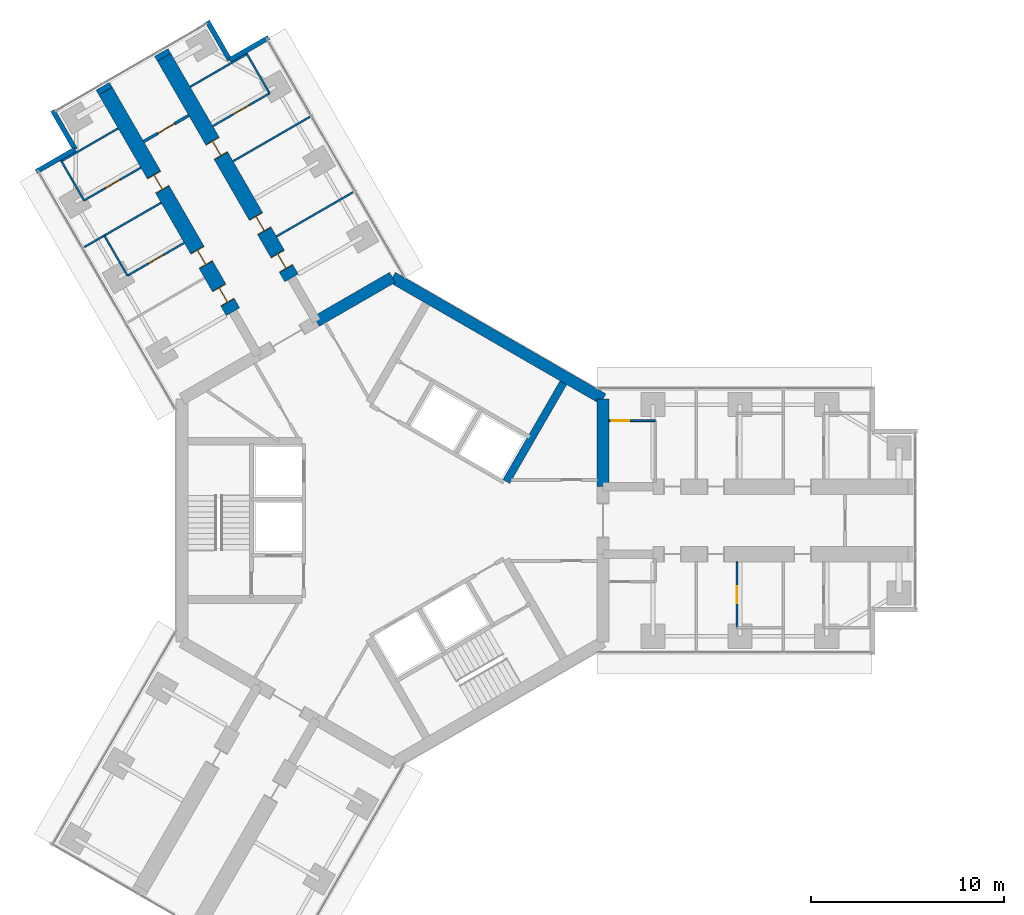
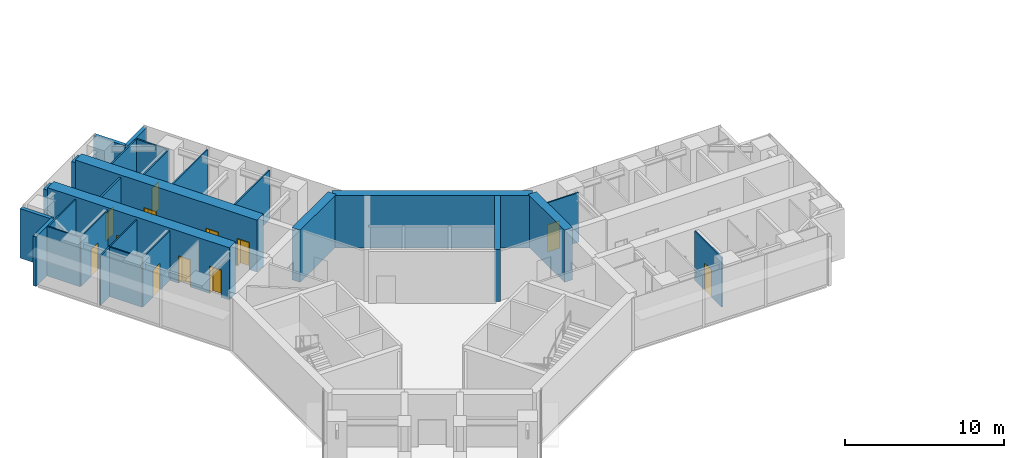
# One storey, part 17 of 23: 26 walls, 12 doors, 12 openings.
"""IFC4 building model written with IfcOpenShell, lengths in metres."""

from ifc_helpers import new_model, si_unit, direction, frame, frame_2d, origin, place, context, subcontext, project, spatial, rectangle, extrude, material, layer, layer_set, type_object, element, fill, save


model = new_model("IFC4")

# Units and contexts
model_context = context("Model", 3, precision=1e-05, world=origin(), true_north=direction((0.0, 1.0)))
body_context = subcontext(model_context, "Body", "Model", "MODEL_VIEW")
ifc_project = project(units=[si_unit("LENGTHUNIT", "METRE"), si_unit("AREAUNIT", "SQUARE_METRE"), si_unit("VOLUMEUNIT", "CUBIC_METRE"), si_unit("PLANEANGLEUNIT", "RADIAN"), si_unit("MASSUNIT", "GRAM", prefix="KILO")], contexts=[model_context])

# Site, building, storey
site_placement = place(None, origin())
site = spatial("IfcSite", under=ifc_project, at=site_placement, CompositionType="ELEMENT")
building_placement = place(site_placement, origin())
building = spatial("IfcBuilding", under=site, at=building_placement, Name="Upepo Twin Towers", CompositionType="ELEMENT")
storey_placement = place(building_placement, frame((0.0, 0.0, 157.5)))
storey = spatial("IfcBuildingStorey", under=building, at=storey_placement, Name="L38", CompositionType="ELEMENT", Elevation=157.5)

# Walls
ifc_material_1 = material(Name="Dense concrete blockwork", Category="masonry")
ifc_layer_1 = layer(ifc_material_1, 0.800048828125)
ifc_layer_set_1 = layer_set([ifc_layer_1], Name="Buttress closer 800, blockwork with fire-stopping to the curtain wall")
wall_type_1 = type_object("IfcWallType", Name="Buttress closer 800, blockwork with fire-stopping to the curtain wall", PredefinedType="PARTITIONING", material=ifc_layer_set_1)
wall_1_placement = place(storey_placement, frame((-14.865478515625, 22.247802734375, 0.0), z_axis=(0.0, 0.0, 1.0), x_axis=(-0.500426713919, 0.865778900179, 0.0)))
element("IfcWall", 1, at=wall_1_placement, inside=storey, type_object=wall_type_1, Name="T1 L38 wing B buttress closer L", PredefinedType="PARTITIONING", context=body_context, shape_type="SweptSolid", body=[
    extrude(rectangle(XDim=0.300048828125, YDim=0.800048828125, at=frame_2d((0.14990234375, 0.0))), origin(), (0.0, 0.0, 1.0), 3.800048828125),
])
wall_2_placement = place(storey_placement, frame((-11.83447265625, 23.997802734375, 0.0), z_axis=(0.0, 0.0, 1.0), x_axis=(-0.499816412211, 0.866131372301, 0.0)))
element("IfcWall", 2, at=wall_2_placement, inside=storey, type_object=wall_type_1, Name="T1 L38 wing B buttress closer R", PredefinedType="PARTITIONING", context=body_context, shape_type="SweptSolid", body=[
    extrude(rectangle(XDim=0.2998046875, YDim=0.800048828125, at=frame_2d((0.14990234375, 0.0))), origin(), (0.0, 0.0, 1.0), 3.800048828125),
])

# Wall, openings, doors
ifc_material_2 = material(Name="Concrete C60/75", Category="concrete")
ifc_layer_2 = layer(ifc_material_2, 0.800048828125)
ifc_layer_set_2 = layer_set([ifc_layer_2], Name="Concrete C60/75")
wall_type_2 = type_object("IfcWallType", Name="Buttress wall 800 RC", PredefinedType="SHEAR", material=ifc_layer_set_2)
wall_3_placement = place(storey_placement, frame((-8.265625, 10.81640625, 0.0), z_axis=(0.0, 0.0, 1.0), x_axis=(-0.499996231654, 0.866027579429, 0.0)))
wall_3 = element("IfcWall", 3, at=wall_3_placement, inside=storey, type_object=wall_type_2, Name="T1 wing B buttress wall L part 2", PredefinedType="SHEAR", context=body_context, shape_type="SweptSolid", body=[
    extrude(rectangle(XDim=13.19970703125, YDim=0.800048828125, at=frame_2d((6.599853515625, 0.0))), origin(), (0.0, 0.0, 1.0), 4.0),
])
opening_1_placement = place(wall_3_placement, frame((0.550048828125, 0.0, 0.0)))
opening_1 = element("IfcOpeningElement", 4, at=opening_1_placement, cuts=wall_3, Name="Opening D14", PredefinedType="OPENING", context=body_context, shape_type="SweptSolid", body=[
    extrude(rectangle(XDim=0.89990234375, YDim=2.10009765625, at=frame_2d((0.449951171875, 1.050048828125))), frame((0.0, 0.409912109375, 0.0), z_axis=(0.0, -1.0, 0.0), x_axis=(1.0, 0.0, 0.0)), (0.0, 0.0, 1.0), 0.820068359375),
])
opening_2_placement = place(wall_3_placement, frame((2.800048828125, 0.0, 0.0)))
opening_2 = element("IfcOpeningElement", 5, at=opening_2_placement, cuts=wall_3, Name="Opening D14", PredefinedType="OPENING", context=body_context, shape_type="SweptSolid", body=[
    extrude(rectangle(XDim=0.89990234375, YDim=2.10009765625, at=frame_2d((0.449951171875, 1.050048828125))), frame((0.0, 0.409912109375, 0.0), z_axis=(0.0, -1.0, 0.0), x_axis=(1.0, 0.0, 0.0)), (0.0, 0.0, 1.0), 0.820068359375),
])
opening_3_placement = place(wall_3_placement, frame((7.300048828125, 0.0, 0.0)))
opening_3 = element("IfcOpeningElement", 6, at=opening_3_placement, cuts=wall_3, Name="Opening D14", PredefinedType="OPENING", context=body_context, shape_type="SweptSolid", body=[
    extrude(rectangle(XDim=0.89990234375, YDim=2.10009765625, at=frame_2d((0.449951171875, 1.050048828125))), frame((0.0, 0.409912109375, 0.0), z_axis=(0.0, -1.0, 0.0), x_axis=(1.0, 0.0, 0.0)), (0.0, 0.0, 1.0), 0.820068359375),
])
ifc_material_3 = material(Name="Timber doorset", Category="wood")
door_type_1 = type_object("IfcDoorType", Name="Office door 900 FD30", OperationType="SINGLE_SWING_LEFT", PredefinedType="DOOR", material=ifc_material_3)
door_1_placement = place(opening_1_placement, origin())
door_1 = element("IfcDoor", 7, at=door_1_placement, inside=storey, type_object=door_type_1, Name="T1 L38 staff office door", OperationType="SINGLE_SWING_LEFT", OverallHeight=2.10009765625, OverallWidth=0.89990234375, PredefinedType="DOOR", context=body_context, shape_type="SweptSolid", body=[
    extrude(rectangle(XDim=0.81990234375, YDim=2.06009765625, at=frame_2d((0.449951171875, 1.030029296875))), frame((0.0, 0.02490234375, 0.0), z_axis=(0.0, -1.0, 0.0), x_axis=(1.0, 0.0, 0.0)), (0.0, 0.0, 1.0), 0.050048828125),
    extrude(rectangle(XDim=0.04, YDim=2.10009765625, at=frame_2d((0.02001953125, 1.050048828125))), frame((0.0, 0.39990234375, 0.0), z_axis=(0.0, -1.0, 0.0), x_axis=(1.0, 0.0, 0.0)), (0.0, 0.0, 1.0), 0.799560546875),
    extrude(rectangle(XDim=0.04, YDim=2.10009765625, at=frame_2d((0.8798828125, 1.050048828125))), frame((0.0, 0.39990234375, 0.0), z_axis=(0.0, -1.0, 0.0), x_axis=(1.0, 0.0, 0.0)), (0.0, 0.0, 1.0), 0.799560546875),
    extrude(rectangle(XDim=0.81990234375, YDim=0.04, at=frame_2d((0.449951171875, 2.080078125))), frame((0.0, 0.39990234375, 0.0), z_axis=(0.0, -1.0, 0.0), x_axis=(1.0, 0.0, 0.0)), (0.0, 0.0, 1.0), 0.799560546875),
])
fill(opening_1, door_1)
door_2_placement = place(opening_2_placement, origin())
door_2 = element("IfcDoor", 8, at=door_2_placement, inside=storey, type_object=door_type_1, Name="T1 L38 postgraduate office door", OperationType="SINGLE_SWING_LEFT", OverallHeight=2.10009765625, OverallWidth=0.89990234375, PredefinedType="DOOR", context=body_context, shape_type="SweptSolid", body=[
    extrude(rectangle(XDim=0.81990234375, YDim=2.06009765625, at=frame_2d((0.449951171875, 1.030029296875))), frame((0.0, 0.02490234375, 0.0), z_axis=(0.0, -1.0, 0.0), x_axis=(1.0, 0.0, 0.0)), (0.0, 0.0, 1.0), 0.050048828125),
    extrude(rectangle(XDim=0.04, YDim=2.10009765625, at=frame_2d((0.02001953125, 1.050048828125))), frame((0.0, 0.39990234375, 0.0), z_axis=(0.0, -1.0, 0.0), x_axis=(1.0, 0.0, 0.0)), (0.0, 0.0, 1.0), 0.799560546875),
    extrude(rectangle(XDim=0.04, YDim=2.10009765625, at=frame_2d((0.8798828125, 1.050048828125))), frame((0.0, 0.39990234375, 0.0), z_axis=(0.0, -1.0, 0.0), x_axis=(1.0, 0.0, 0.0)), (0.0, 0.0, 1.0), 0.799560546875),
    extrude(rectangle(XDim=0.81990234375, YDim=0.04, at=frame_2d((0.449951171875, 2.080078125))), frame((0.0, 0.39990234375, 0.0), z_axis=(0.0, -1.0, 0.0), x_axis=(1.0, 0.0, 0.0)), (0.0, 0.0, 1.0), 0.799560546875),
])
fill(opening_2, door_2)
door_3_placement = place(opening_3_placement, origin())
door_3 = element("IfcDoor", 9, at=door_3_placement, inside=storey, type_object=door_type_1, Name="T1 L38 meeting room door", OperationType="SINGLE_SWING_RIGHT", OverallHeight=2.10009765625, OverallWidth=0.89990234375, PredefinedType="DOOR", context=body_context, shape_type="SweptSolid", body=[
    extrude(rectangle(XDim=0.81990234375, YDim=2.06009765625, at=frame_2d((0.449951171875, 1.030029296875))), frame((0.0, 0.02490234375, 0.0), z_axis=(0.0, -1.0, 0.0), x_axis=(1.0, 0.0, 0.0)), (0.0, 0.0, 1.0), 0.050048828125),
    extrude(rectangle(XDim=0.04, YDim=2.10009765625, at=frame_2d((0.02001953125, 1.050048828125))), frame((0.0, 0.39990234375, 0.0), z_axis=(0.0, -1.0, 0.0), x_axis=(1.0, 0.0, 0.0)), (0.0, 0.0, 1.0), 0.799560546875),
    extrude(rectangle(XDim=0.04, YDim=2.10009765625, at=frame_2d((0.8798828125, 1.050048828125))), frame((0.0, 0.39990234375, 0.0), z_axis=(0.0, -1.0, 0.0), x_axis=(1.0, 0.0, 0.0)), (0.0, 0.0, 1.0), 0.799560546875),
    extrude(rectangle(XDim=0.81990234375, YDim=0.04, at=frame_2d((0.449951171875, 2.080078125))), frame((0.0, 0.39990234375, 0.0), z_axis=(0.0, -1.0, 0.0), x_axis=(1.0, 0.0, 0.0)), (0.0, 0.0, 1.0), 0.799560546875),
])
fill(opening_3, door_3)

wall_4_placement = place(storey_placement, frame((-5.234375, 12.56640625, 0.0), z_axis=(0.0, 0.0, 1.0), x_axis=(-0.500010103361, 0.866019570528, 0.0)))
wall_4 = element("IfcWall", 10, at=wall_4_placement, inside=storey, type_object=wall_type_2, Name="T1 wing B buttress wall R part 2", PredefinedType="SHEAR", context=body_context, shape_type="SweptSolid", body=[
    extrude(rectangle(XDim=13.199951171875, YDim=0.800048828125, at=frame_2d((6.60009765625, 0.0))), origin(), (0.0, 0.0, 1.0), 4.0),
])
opening_4_placement = place(wall_4_placement, frame((0.550048828125, 0.0, 0.0)))
opening_4 = element("IfcOpeningElement", 11, at=opening_4_placement, cuts=wall_4, Name="Opening D14", PredefinedType="OPENING", context=body_context, shape_type="SweptSolid", body=[
    extrude(rectangle(XDim=0.89990234375, YDim=2.10009765625, at=frame_2d((0.449951171875, 1.050048828125))), frame((0.0, 0.409912109375, 0.0), z_axis=(0.0, -1.0, 0.0), x_axis=(1.0, 0.0, 0.0)), (0.0, 0.0, 1.0), 0.820068359375),
])
opening_5_placement = place(wall_4_placement, frame((2.800048828125, 0.0, 0.0)))
opening_5 = element("IfcOpeningElement", 12, at=opening_5_placement, cuts=wall_4, Name="Opening D14", PredefinedType="OPENING", context=body_context, shape_type="SweptSolid", body=[
    extrude(rectangle(XDim=0.89990234375, YDim=2.10009765625, at=frame_2d((0.449951171875, 1.050048828125))), frame((0.0, 0.409912109375, 0.0), z_axis=(0.0, -1.0, 0.0), x_axis=(1.0, 0.0, 0.0)), (0.0, 0.0, 1.0), 0.820068359375),
])
opening_6_placement = place(wall_4_placement, frame((7.300048828125, 0.0, 0.0)))
opening_6 = element("IfcOpeningElement", 13, at=opening_6_placement, cuts=wall_4, Name="Opening D14", PredefinedType="OPENING", context=body_context, shape_type="SweptSolid", body=[
    extrude(rectangle(XDim=0.89990234375, YDim=2.10009765625, at=frame_2d((0.449951171875, 1.050048828125))), frame((0.0, 0.409912109375, 0.0), z_axis=(0.0, -1.0, 0.0), x_axis=(1.0, 0.0, 0.0)), (0.0, 0.0, 1.0), 0.820068359375),
])
door_4_placement = place(opening_4_placement, origin())
door_4 = element("IfcDoor", 14, at=door_4_placement, inside=storey, type_object=door_type_1, Name="T1 L38 staff office door", OperationType="SINGLE_SWING_LEFT", OverallHeight=2.10009765625, OverallWidth=0.89990234375, PredefinedType="DOOR", context=body_context, shape_type="SweptSolid", body=[
    extrude(rectangle(XDim=0.81990234375, YDim=2.06009765625, at=frame_2d((0.449951171875, 1.030029296875))), frame((0.0, 0.02490234375, 0.0), z_axis=(0.0, -1.0, 0.0), x_axis=(1.0, 0.0, 0.0)), (0.0, 0.0, 1.0), 0.050048828125),
    extrude(rectangle(XDim=0.04, YDim=2.10009765625, at=frame_2d((0.02001953125, 1.050048828125))), frame((0.0, 0.39990234375, 0.0), z_axis=(0.0, -1.0, 0.0), x_axis=(1.0, 0.0, 0.0)), (0.0, 0.0, 1.0), 0.799560546875),
    extrude(rectangle(XDim=0.04, YDim=2.10009765625, at=frame_2d((0.8798828125, 1.050048828125))), frame((0.0, 0.39990234375, 0.0), z_axis=(0.0, -1.0, 0.0), x_axis=(1.0, 0.0, 0.0)), (0.0, 0.0, 1.0), 0.799560546875),
    extrude(rectangle(XDim=0.81990234375, YDim=0.04, at=frame_2d((0.449951171875, 2.080078125))), frame((0.0, 0.39990234375, 0.0), z_axis=(0.0, -1.0, 0.0), x_axis=(1.0, 0.0, 0.0)), (0.0, 0.0, 1.0), 0.799560546875),
])
fill(opening_4, door_4)
door_5_placement = place(opening_5_placement, origin())
door_5 = element("IfcDoor", 15, at=door_5_placement, inside=storey, type_object=door_type_1, Name="T1 L38 staff office door", OperationType="SINGLE_SWING_LEFT", OverallHeight=2.10009765625, OverallWidth=0.89990234375, PredefinedType="DOOR", context=body_context, shape_type="SweptSolid", body=[
    extrude(rectangle(XDim=0.81990234375, YDim=2.06009765625, at=frame_2d((0.449951171875, 1.030029296875))), frame((0.0, 0.02490234375, 0.0), z_axis=(0.0, -1.0, 0.0), x_axis=(1.0, 0.0, 0.0)), (0.0, 0.0, 1.0), 0.050048828125),
    extrude(rectangle(XDim=0.04, YDim=2.10009765625, at=frame_2d((0.02001953125, 1.050048828125))), frame((0.0, 0.39990234375, 0.0), z_axis=(0.0, -1.0, 0.0), x_axis=(1.0, 0.0, 0.0)), (0.0, 0.0, 1.0), 0.799560546875),
    extrude(rectangle(XDim=0.04, YDim=2.10009765625, at=frame_2d((0.8798828125, 1.050048828125))), frame((0.0, 0.39990234375, 0.0), z_axis=(0.0, -1.0, 0.0), x_axis=(1.0, 0.0, 0.0)), (0.0, 0.0, 1.0), 0.799560546875),
    extrude(rectangle(XDim=0.81990234375, YDim=0.04, at=frame_2d((0.449951171875, 2.080078125))), frame((0.0, 0.39990234375, 0.0), z_axis=(0.0, -1.0, 0.0), x_axis=(1.0, 0.0, 0.0)), (0.0, 0.0, 1.0), 0.799560546875),
])
fill(opening_5, door_5)
door_6_placement = place(opening_6_placement, origin())
door_6 = element("IfcDoor", 16, at=door_6_placement, inside=storey, type_object=door_type_1, Name="T1 L38 postgraduate office door", OperationType="SINGLE_SWING_RIGHT", OverallHeight=2.10009765625, OverallWidth=0.89990234375, PredefinedType="DOOR", context=body_context, shape_type="SweptSolid", body=[
    extrude(rectangle(XDim=0.81990234375, YDim=2.06009765625, at=frame_2d((0.449951171875, 1.030029296875))), frame((0.0, 0.02490234375, 0.0), z_axis=(0.0, -1.0, 0.0), x_axis=(1.0, 0.0, 0.0)), (0.0, 0.0, 1.0), 0.050048828125),
    extrude(rectangle(XDim=0.04, YDim=2.10009765625, at=frame_2d((0.02001953125, 1.050048828125))), frame((0.0, 0.39990234375, 0.0), z_axis=(0.0, -1.0, 0.0), x_axis=(1.0, 0.0, 0.0)), (0.0, 0.0, 1.0), 0.799560546875),
    extrude(rectangle(XDim=0.04, YDim=2.10009765625, at=frame_2d((0.8798828125, 1.050048828125))), frame((0.0, 0.39990234375, 0.0), z_axis=(0.0, -1.0, 0.0), x_axis=(1.0, 0.0, 0.0)), (0.0, 0.0, 1.0), 0.799560546875),
    extrude(rectangle(XDim=0.81990234375, YDim=0.04, at=frame_2d((0.449951171875, 2.080078125))), frame((0.0, 0.39990234375, 0.0), z_axis=(0.0, -1.0, 0.0), x_axis=(1.0, 0.0, 0.0)), (0.0, 0.0, 1.0), 0.799560546875),
])
fill(opening_6, door_6)

# Walls
ifc_material_4 = material(Name="Concrete C60/75", Category="concrete")
ifc_layer_3 = layer(ifc_material_4, 0.60009765625)
ifc_layer_set_3 = layer_set([ifc_layer_3], Name="Concrete C60/75")
wall_type_3 = type_object("IfcWallType", Name="Core wall 600 RC", PredefinedType="SHEAR", material=ifc_layer_set_3)
wall_5_placement = place(storey_placement, frame((10.908447265625, 1.75, 0.0), z_axis=(0.0, 0.0, 1.0), x_axis=(0.0, 1.0, 0.0)))
element("IfcWall", 17, at=wall_5_placement, inside=storey, type_object=wall_type_3, Name="T1 core wall 000 L", PredefinedType="SHEAR", context=body_context, shape_type="SweptSolid", body=[
    extrude(rectangle(XDim=4.5478515625, YDim=0.60009765625, at=frame_2d((2.27392578125, 0.0))), origin(), (0.0, 0.0, 1.0), 4.0),
])
wall_6_placement = place(storey_placement, frame((10.908447265625, 6.2978515625, 0.0), z_axis=(0.0, 0.0, 1.0), x_axis=(-0.866021940709, 0.500005998175, 0.0)))
element("IfcWall", 18, at=wall_6_placement, inside=storey, type_object=wall_type_3, Name="T1 core wall 060", PredefinedType="SHEAR", context=body_context, shape_type="SweptSolid", body=[
    extrude(rectangle(XDim=12.595947265625, YDim=0.60009765625, at=frame_2d((6.2978515625, 0.0))), origin(), (0.0, 0.0, 1.0), 4.0),
])
wall_7_placement = place(storey_placement, frame((0.0, 12.595947265625, 0.0), z_axis=(0.0, 0.0, 1.0), x_axis=(-0.866011268655, -0.500024481964, 0.0)))
element("IfcWall", 19, at=wall_7_placement, inside=storey, type_object=wall_type_3, Name="T1 core wall 120 R", PredefinedType="SHEAR", context=body_context, shape_type="SweptSolid", body=[
    extrude(rectangle(XDim=4.548095703125, YDim=0.60009765625, at=frame_2d((2.27392578125, 0.0))), origin(), (0.0, 0.0, 1.0), 4.0),
])
ifc_material_5 = material(Name="Blockwork with anodised aluminium cladding", Category="masonry")
ifc_layer_4 = layer(ifc_material_5, 0.25)
ifc_layer_set_4 = layer_set([ifc_layer_4], Name="Notch cladding wall 250, pale metal")
wall_type_4 = type_object("IfcWallType", Name="Notch cladding wall 250, pale metal", PredefinedType="STANDARD", material=ifc_layer_set_4)
for number, where, z_axis, x_axis, name in (
    (20, (-18.456298828125, 18.0673828125, 0.0), (0.0, 0.0, 1.0), (0.865998469481, 0.500046648681, 0.0), "T1 L38 wing B notch wall L1"),
    (21, (-16.44287109375, 19.22998046875, 0.0), (0.0, 0.0, 1.0), (-0.500046648681, 0.865998469481, 0.0), "T1 L38 wing B notch wall L2"),
    (22, (-6.418701171875, 25.017333984375, 0.0), (0.0, 0.0, 1.0), (-0.866043940782, -0.499967891604, 0.0), "T1 L38 wing B notch wall R1"),
    (23, (-8.43212890625, 23.85498046875, 0.0), (0.0, 0.0, 1.0), (-0.500046648681, 0.865998469481, 0.0), "T1 L38 wing B notch wall R2"),
):
    element("IfcWall", number, at=place(storey_placement, frame(where, z_axis=z_axis, x_axis=x_axis)), inside=storey, type_object=wall_type_4, Name=name, PredefinedType="STANDARD", context=body_context, shape_type="SweptSolid", body=[
        extrude(rectangle(XDim=2.324951171875, YDim=0.25, at=frame_2d((1.16259765625, 0.0))), origin(), (0.0, 0.0, 1.0), 3.800048828125),
    ])

# Wall, opening, door
ifc_material_6 = material(Name="Gypsum board on steel studs", Category="steel")
ifc_layer_5 = layer(ifc_material_6, 0.10009765625)
ifc_layer_set_5 = layer_set([ifc_layer_5], Name="Office partition 100 stud")
wall_type_5 = type_object("IfcWallType", Name="Office partition 100 stud", PredefinedType="PARTITIONING", material=ifc_layer_set_5)
wall_8_placement = place(storey_placement, frame((11.2080078125, 5.175048828125, 0.0), z_axis=(0.0, 0.0, 1.0), x_axis=(1.0, 0.0, 0.0)))
wall_8 = element("IfcWall", 24, at=wall_8_placement, inside=storey, type_object=wall_type_5, Name="T1 WC bay partition AL at 11.21", PredefinedType="PARTITIONING", context=body_context, shape_type="SweptSolid", body=[
    extrude(rectangle(XDim=2.39990234375, YDim=0.10009765625, at=frame_2d((1.199951171875, 0.0))), origin(), (0.0, 0.0, 1.0), 3.800048828125),
])
opening_7_placement = place(wall_8_placement, frame((0.14990234375, 0.0, 0.0)))
opening_7 = element("IfcOpeningElement", 25, at=opening_7_placement, cuts=wall_8, Name="Opening D14", PredefinedType="OPENING", context=body_context, shape_type="SweptSolid", body=[
    extrude(rectangle(XDim=0.89990234375, YDim=2.10009765625, at=frame_2d((0.449951171875, 1.050048828125))), frame((0.0, 0.06005859375, 0.0), z_axis=(0.0, -1.0, 0.0), x_axis=(1.0, 0.0, 0.0)), (0.0, 0.0, 1.0), 0.1201171875),
])
door_7_placement = place(opening_7_placement, origin())
door_7 = element("IfcDoor", 26, at=door_7_placement, inside=storey, type_object=door_type_1, Name="T1 L38 WC bay inner room door", OperationType="SINGLE_SWING_LEFT", OverallHeight=2.10009765625, OverallWidth=0.89990234375, PredefinedType="DOOR", context=body_context, shape_type="SweptSolid", body=[
    extrude(rectangle(XDim=0.89990234375, YDim=2.10009765625, at=frame_2d((0.449951171875, 1.050048828125))), frame((0.0, 0.02490234375, 0.0), z_axis=(0.0, -1.0, 0.0), x_axis=(1.0, 0.0, 0.0)), (0.0, 0.0, 1.0), 0.050048828125),
])
fill(opening_7, door_7)

wall_9_placement = place(storey_placement, frame((17.85009765625, -2.14990234375, 0.0), z_axis=(0.0, 0.0, 1.0), x_axis=(0.0, -1.0, 0.0)))
wall_9 = element("IfcWall", 27, at=wall_9_placement, inside=storey, type_object=wall_type_5, Name="T1 inner room partition AR end at 17.85", PredefinedType="PARTITIONING", context=body_context, shape_type="SweptSolid", body=[
    extrude(rectangle(XDim=3.400146484375, YDim=0.10009765625, at=frame_2d((1.7001953125, 0.0))), origin(), (0.0, 0.0, 1.0), 3.800048828125),
])
opening_8_placement = place(wall_9_placement, frame((1.25, 0.0, 0.0)))
opening_8 = element("IfcOpeningElement", 28, at=opening_8_placement, cuts=wall_9, Name="Opening D14", PredefinedType="OPENING", context=body_context, shape_type="SweptSolid", body=[
    extrude(rectangle(XDim=0.89990234375, YDim=2.10009765625, at=frame_2d((0.449951171875, 1.050048828125))), frame((0.0, 0.06005859375, 0.0), z_axis=(0.0, -1.0, 0.0), x_axis=(1.0, 0.0, 0.0)), (0.0, 0.0, 1.0), 0.1201171875),
])
door_8_placement = place(opening_8_placement, origin())
door_8 = element("IfcDoor", 29, at=door_8_placement, inside=storey, type_object=door_type_1, Name="T1 L38 inner room door", OperationType="SINGLE_SWING_LEFT", OverallHeight=2.10009765625, OverallWidth=0.89990234375, PredefinedType="DOOR", context=body_context, shape_type="SweptSolid", body=[
    extrude(rectangle(XDim=0.89990234375, YDim=2.10009765625, at=frame_2d((0.449951171875, 1.050048828125))), frame((0.0, 0.02490234375, 0.0), z_axis=(0.0, -1.0, 0.0), x_axis=(1.0, 0.0, 0.0)), (0.0, 0.0, 1.0), 0.050048828125),
])
fill(opening_8, door_8)

# Walls
wall_10_placement = place(storey_placement, frame((-11.987060546875, 16.4619140625, 0.0), z_axis=(0.0, 0.0, 1.0), x_axis=(-0.866039752405, -0.499975146636, 0.0)))
element("IfcWall", 30, at=wall_10_placement, inside=storey, type_object=wall_type_5, Name="T1 partition BL at 20.25", PredefinedType="PARTITIONING", context=body_context, shape_type="SweptSolid", body=[
    extrude(rectangle(XDim=4.599853515625, YDim=0.10009765625, at=frame_2d((2.2998046875, 0.0))), origin(), (0.0, 0.0, 1.0), 3.800048828125),
])
wall_11_placement = place(storey_placement, frame((-13.7314453125, 12.68359375, 0.0), z_axis=(0.0, 0.0, 1.0), x_axis=(-0.500001309137, 0.866024647952, 0.0)))
element("IfcWall", 31, at=wall_11_placement, inside=storey, type_object=wall_type_5, Name="T1 inner room partition BL at 17.85", PredefinedType="PARTITIONING", context=body_context, shape_type="SweptSolid", body=[
    extrude(rectangle(XDim=2.39990234375, YDim=0.10009765625, at=frame_2d((1.199951171875, 0.0))), origin(), (0.0, 0.0, 1.0), 3.800048828125),
])

# Wall, opening, door
wall_12_placement = place(storey_placement, frame((-10.786865234375, 14.383544921875, 0.0), z_axis=(0.0, 0.0, 1.0), x_axis=(-0.866038511948, -0.499977295307, 0.0)))
wall_12 = element("IfcWall", 32, at=wall_12_placement, inside=storey, type_object=wall_type_5, Name="T1 inner room partition BL end at 17.85", PredefinedType="PARTITIONING", context=body_context, shape_type="SweptSolid", body=[
    extrude(rectangle(XDim=3.400146484375, YDim=0.10009765625, at=frame_2d((1.7001953125, 0.0))), origin(), (0.0, 0.0, 1.0), 3.800048828125),
])
opening_9_placement = place(wall_12_placement, frame((1.25, 0.0, 0.0)))
opening_9 = element("IfcOpeningElement", 33, at=opening_9_placement, cuts=wall_12, Name="Opening D14", PredefinedType="OPENING", context=body_context, shape_type="SweptSolid", body=[
    extrude(rectangle(XDim=0.89990234375, YDim=2.10009765625, at=frame_2d((0.449951171875, 1.050048828125))), frame((0.0, 0.06005859375, 0.0), z_axis=(0.0, -1.0, 0.0), x_axis=(1.0, 0.0, 0.0)), (0.0, 0.0, 1.0), 0.1201171875),
])
door_9_placement = place(opening_9_placement, origin())
door_9 = element("IfcDoor", 34, at=door_9_placement, inside=storey, type_object=door_type_1, Name="T1 L38 inner room door", OperationType="SINGLE_SWING_LEFT", OverallHeight=2.10009765625, OverallWidth=0.89990234375, PredefinedType="DOOR", context=body_context, shape_type="SweptSolid", body=[
    extrude(rectangle(XDim=0.89990234375, YDim=2.10009765625, at=frame_2d((0.449951171875, 1.050048828125))), frame((0.0, 0.02490234375, 0.0), z_axis=(0.0, -1.0, 0.0), x_axis=(1.0, 0.0, 0.0)), (0.0, 0.0, 1.0), 0.050048828125),
])
fill(opening_9, door_9)

# Wall
wall_13_placement = place(storey_placement, frame((-15.9814453125, 16.58056640625, 0.0), z_axis=(0.0, 0.0, 1.0), x_axis=(-0.499957262057, 0.866050077142, 0.0)))
element("IfcWall", 35, at=wall_13_placement, inside=storey, type_object=wall_type_5, Name="T1 inner room partition BL at 22.35", PredefinedType="PARTITIONING", context=body_context, shape_type="SweptSolid", body=[
    extrude(rectangle(XDim=2.400146484375, YDim=0.10009765625, at=frame_2d((1.2001953125, 0.0))), origin(), (0.0, 0.0, 1.0), 3.800048828125),
])

# Wall, opening, door
wall_14_placement = place(storey_placement, frame((-13.036865234375, 18.28076171875, 0.0), z_axis=(0.0, 0.0, 1.0), x_axis=(-0.866007419912, -0.500031147688, 0.0)))
wall_14 = element("IfcWall", 36, at=wall_14_placement, inside=storey, type_object=wall_type_5, Name="T1 inner room partition BL end at 22.35", PredefinedType="PARTITIONING", context=body_context, shape_type="SweptSolid", body=[
    extrude(rectangle(XDim=3.400146484375, YDim=0.10009765625, at=frame_2d((1.7001953125, 0.0))), origin(), (0.0, 0.0, 1.0), 3.800048828125),
])
opening_10_placement = place(wall_14_placement, frame((1.25, 0.0, 0.0)))
opening_10 = element("IfcOpeningElement", 37, at=opening_10_placement, cuts=wall_14, Name="Opening D14", PredefinedType="OPENING", context=body_context, shape_type="SweptSolid", body=[
    extrude(rectangle(XDim=0.89990234375, YDim=2.10009765625, at=frame_2d((0.449951171875, 1.050048828125))), frame((0.0, 0.06005859375, 0.0), z_axis=(0.0, -1.0, 0.0), x_axis=(1.0, 0.0, 0.0)), (0.0, 0.0, 1.0), 0.1201171875),
])
door_10_placement = place(opening_10_placement, origin())
door_10 = element("IfcDoor", 38, at=door_10_placement, inside=storey, type_object=door_type_1, Name="T1 L38 inner room door", OperationType="SINGLE_SWING_LEFT", OverallHeight=2.10009765625, OverallWidth=0.89990234375, PredefinedType="DOOR", context=body_context, shape_type="SweptSolid", body=[
    extrude(rectangle(XDim=0.89990234375, YDim=2.10009765625, at=frame_2d((0.449951171875, 1.050048828125))), frame((0.0, 0.02490234375, 0.0), z_axis=(0.0, -1.0, 0.0), x_axis=(1.0, 0.0, 0.0)), (0.0, 0.0, 1.0), 0.050048828125),
])
fill(opening_10, door_10)

# Walls
wall_15_placement = place(storey_placement, frame((-14.2119140625, 20.31591796875, 0.0), z_axis=(0.0, 0.0, 1.0), x_axis=(-0.866007419912, -0.500031147688, 0.0)))
element("IfcWall", 39, at=wall_15_placement, inside=storey, type_object=wall_type_5, Name="T1 inner room partition BL end at 24.75", PredefinedType="PARTITIONING", context=body_context, shape_type="SweptSolid", body=[
    extrude(rectangle(XDim=3.400146484375, YDim=0.10009765625, at=frame_2d((1.7001953125, 0.0))), origin(), (0.0, 0.0, 1.0), 3.800048828125),
])
for number, where, z_axis, x_axis, name in (
    (40, (-6.012939453125, 14.71484375, 0.0), (0.0, 0.0, 1.0), (0.866016770315, 0.500014953309, 0.0), "T1 partition BR at 15.75"),
    (41, (-8.262939453125, 18.612060546875, 0.0), (0.0, 0.0, 1.0), (0.866016770315, 0.500014953309, 0.0), "T1 partition BR at 20.25"),
):
    element("IfcWall", number, at=place(storey_placement, frame(where, z_axis=z_axis, x_axis=x_axis)), inside=storey, type_object=wall_type_5, Name=name, PredefinedType="PARTITIONING", context=body_context, shape_type="SweptSolid", body=[
        extrude(rectangle(XDim=4.599853515625, YDim=0.10009765625, at=frame_2d((2.2998046875, 0.0))), origin(), (0.0, 0.0, 1.0), 3.800048828125),
    ])
wall_16_placement = place(storey_placement, frame((-6.36865234375, 22.130615234375, 0.0), z_axis=(0.0, 0.0, 1.0), x_axis=(-0.499957262057, 0.866050077142, 0.0)))
element("IfcWall", 42, at=wall_16_placement, inside=storey, type_object=wall_type_5, Name="T1 inner room partition BR at 22.35", PredefinedType="PARTITIONING", context=body_context, shape_type="SweptSolid", body=[
    extrude(rectangle(XDim=2.400146484375, YDim=0.10009765625, at=frame_2d((1.2001953125, 0.0))), origin(), (0.0, 0.0, 1.0), 3.800048828125),
])

# Wall, opening, door
wall_17_placement = place(storey_placement, frame((-9.31298828125, 20.4306640625, 0.0), z_axis=(0.0, 0.0, 1.0), x_axis=(0.866020560687, 0.500008388397, 0.0)))
wall_17 = element("IfcWall", 43, at=wall_17_placement, inside=storey, type_object=wall_type_5, Name="T1 inner room partition BR end at 22.35", PredefinedType="PARTITIONING", context=body_context, shape_type="SweptSolid", body=[
    extrude(rectangle(XDim=3.39990234375, YDim=0.10009765625, at=frame_2d((1.699951171875, 0.0))), origin(), (0.0, 0.0, 1.0), 3.800048828125),
])
opening_11_placement = place(wall_17_placement, frame((1.25, 0.0, 0.0)))
opening_11 = element("IfcOpeningElement", 44, at=opening_11_placement, cuts=wall_17, Name="Opening D14", PredefinedType="OPENING", context=body_context, shape_type="SweptSolid", body=[
    extrude(rectangle(XDim=0.89990234375, YDim=2.10009765625, at=frame_2d((0.449951171875, 1.050048828125))), frame((0.0, 0.06005859375, 0.0), z_axis=(0.0, -1.0, 0.0), x_axis=(1.0, 0.0, 0.0)), (0.0, 0.0, 1.0), 0.1201171875),
])
door_11_placement = place(opening_11_placement, origin())
door_11 = element("IfcDoor", 45, at=door_11_placement, inside=storey, type_object=door_type_1, Name="T1 L38 inner room door", OperationType="SINGLE_SWING_LEFT", OverallHeight=2.10009765625, OverallWidth=0.89990234375, PredefinedType="DOOR", context=body_context, shape_type="SweptSolid", body=[
    extrude(rectangle(XDim=0.89990234375, YDim=2.10009765625, at=frame_2d((0.449951171875, 1.050048828125))), frame((0.0, 0.02490234375, 0.0), z_axis=(0.0, -1.0, 0.0), x_axis=(1.0, 0.0, 0.0)), (0.0, 0.0, 1.0), 0.050048828125),
])
fill(opening_11, door_11)

# Walls
wall_18_placement = place(storey_placement, frame((-10.488037109375, 22.4658203125, 0.0), z_axis=(0.0, 0.0, 1.0), x_axis=(0.866038511948, 0.499977295307, 0.0)))
element("IfcWall", 46, at=wall_18_placement, inside=storey, type_object=wall_type_5, Name="T1 inner room partition BR end at 24.75", PredefinedType="PARTITIONING", context=body_context, shape_type="SweptSolid", body=[
    extrude(rectangle(XDim=3.400146484375, YDim=0.10009765625, at=frame_2d((1.7001953125, 0.0))), origin(), (0.0, 0.0, 1.0), 3.800048828125),
])
ifc_material_7 = material(Name="Concrete C40/50", Category="concrete")
ifc_layer_6 = layer(ifc_material_7, 0.39990234375)
ifc_layer_set_6 = layer_set([ifc_layer_6], Name="Concrete C40/50")
wall_type_6 = type_object("IfcWallType", Name="Shaft wall 400 RC", PredefinedType="SHEAR", material=ifc_layer_set_6)
wall_19_placement = place(storey_placement, frame((5.900634765625, 2.020263671875, 0.0), z_axis=(0.0, 0.0, 1.0), x_axis=(0.500027676417, 0.866009424208, 0.0)))
element("IfcWall", 47, at=wall_19_placement, inside=storey, type_object=wall_type_6, Name="T1 core W60 side wall S", PredefinedType="SHEAR", context=body_context, shape_type="SweptSolid", body=[
    extrude(rectangle(XDim=5.908447265625, YDim=0.39990234375, at=frame_2d((2.9541015625, 0.0))), origin(), (0.0, 0.0, 1.0), 4.0),
])

# Wall, opening, door
ifc_material_8 = material(Name="Gypsum board on steel studs", Category="steel")
ifc_layer_7 = layer(ifc_material_8, 0.14990234375)
ifc_layer_set_7 = layer_set([ifc_layer_7], Name="Teaching partition 150 acoustic")
wall_type_7 = type_object("IfcWallType", Name="Teaching partition 150 acoustic", PredefinedType="PARTITIONING", material=ifc_layer_set_7)
wall_20_placement = place(storey_placement, frame((-10.555908203125, 20.9833984375, 0.0), z_axis=(0.0, 0.0, 1.0), x_axis=(-0.86599734893, -0.500048589285, 0.0)))
wall_20 = element("IfcWall", 48, at=wall_20_placement, inside=storey, type_object=wall_type_7, Name="T1 corridor end partition B at 23.45", PredefinedType="PARTITIONING", context=body_context, shape_type="SweptSolid", body=[
    extrude(rectangle(XDim=2.699951171875, YDim=0.14990234375, at=frame_2d((1.35009765625, 0.0))), origin(), (0.0, 0.0, 1.0), 3.800048828125),
])
opening_12_placement = place(wall_20_placement, frame((0.85009765625, 0.0, 0.0)))
opening_12 = element("IfcOpeningElement", 49, at=opening_12_placement, cuts=wall_20, Name="Opening D1", PredefinedType="OPENING", context=body_context, shape_type="SweptSolid", body=[
    extrude(rectangle(XDim=1.0, YDim=2.10009765625, at=frame_2d((0.5, 1.050048828125))), frame((0.0, 0.0849609375, 0.0), z_axis=(0.0, -1.0, 0.0), x_axis=(1.0, 0.0, 0.0)), (0.0, 0.0, 1.0), 0.169921875),
])
ifc_material_9 = material(Name="Timber doorset", Category="wood")
door_type_2 = type_object("IfcDoorType", Name="Room door 1000 FD30", OperationType="SINGLE_SWING_LEFT", PredefinedType="DOOR", material=ifc_material_9)
door_12_placement = place(opening_12_placement, origin())
door_12 = element("IfcDoor", 50, at=door_12_placement, inside=storey, type_object=door_type_2, Name="T1 L38 breakout study room door", OperationType="SINGLE_SWING_RIGHT", OverallHeight=2.10009765625, OverallWidth=1.0, PredefinedType="DOOR", context=body_context, shape_type="SweptSolid", body=[
    extrude(rectangle(XDim=1.0, YDim=2.10009765625, at=frame_2d((0.5, 1.050048828125))), frame((0.0, 0.02490234375, 0.0), z_axis=(0.0, -1.0, 0.0), x_axis=(1.0, 0.0, 0.0)), (0.0, 0.0, 1.0), 0.050048828125),
])
fill(opening_12, door_12)

save(model, "model.ifc")
